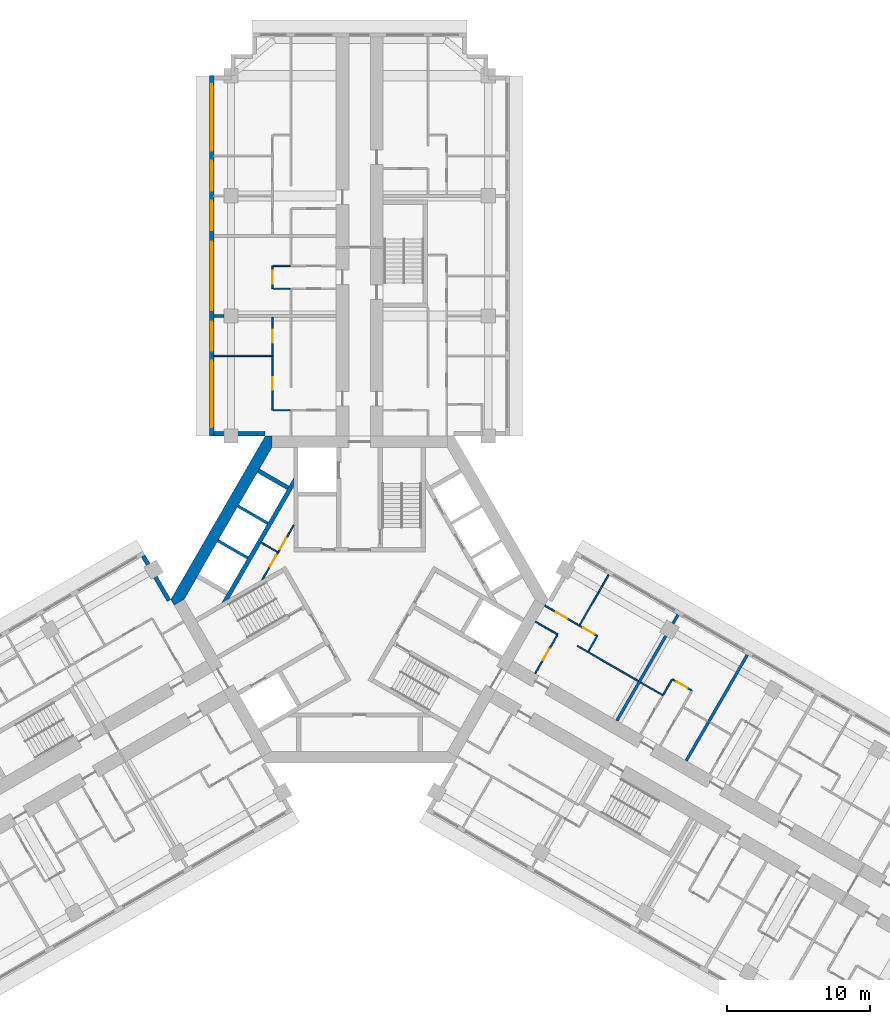
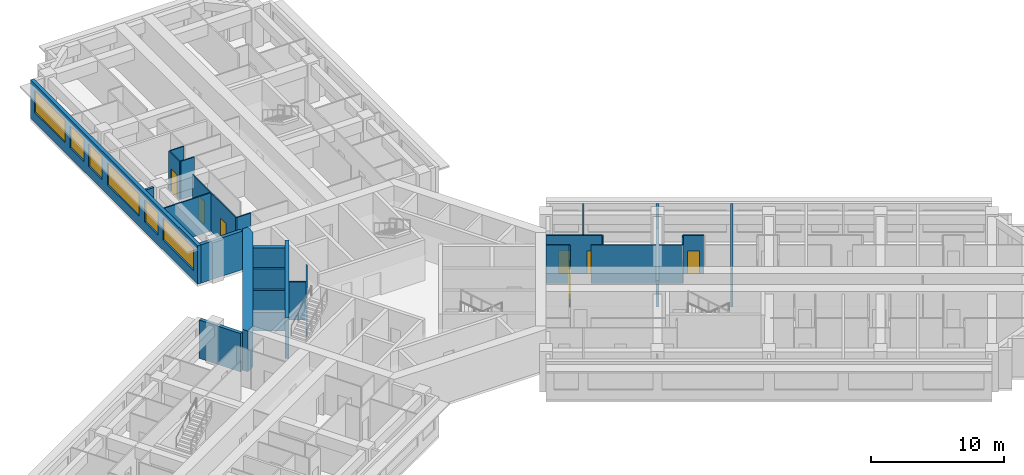
# One storey, part 7 of 13: 29 walls, 9 doors, 6 windows, 15 openings.
"""IFC4 building model written with IfcOpenShell, lengths in metres."""

from ifc_helpers import new_model, si_unit, direction, frame, frame_2d, origin, place, context, subcontext, project, spatial, polyline, rectangle, outline, extrude, material, layer, layer_set, type_object, element, fill, save


model = new_model("IFC4")

# Units and contexts
model_context = context("Model", 3, precision=1e-05, world=origin(), true_north=direction((0.0, 1.0)))
body_context = subcontext(model_context, "Body", "Model", "MODEL_VIEW")
ifc_project = project(units=[si_unit("LENGTHUNIT", "METRE"), si_unit("AREAUNIT", "SQUARE_METRE"), si_unit("VOLUMEUNIT", "CUBIC_METRE"), si_unit("PLANEANGLEUNIT", "RADIAN"), si_unit("MASSUNIT", "GRAM", prefix="KILO")], contexts=[model_context])

# Site, building, storey
site_placement = place(None, origin())
site = spatial("IfcSite", under=ifc_project, at=site_placement, CompositionType="ELEMENT")
building_placement = place(site_placement, origin())
building = spatial("IfcBuilding", under=site, at=building_placement, Name="Impinga Residences", CompositionType="ELEMENT")
storey_placement = place(building_placement, frame((0.0, 0.0, 136.0)))
storey = spatial("IfcBuildingStorey", under=building, at=storey_placement, Name="L33", CompositionType="ELEMENT", Elevation=136.0)

# Wall, openings, doors
ifc_material_1 = material(Name="Concrete blockwork", Category="masonry")
ifc_layer_1 = layer(ifc_material_1, 0.10009765625)
ifc_layer_set_1 = layer_set([ifc_layer_1], Name="CP1 core room partition, blockwork 100")
wall_type_1 = type_object("IfcWallType", Name="CP1 core room partition, blockwork 100", PredefinedType="PARTITIONING", material=ifc_layer_set_1)
wall_1_placement = place(storey_placement, frame((-6.799560546875, 1.385986328125, 0.0), z_axis=(0.0, 0.0, 1.0), x_axis=(0.500001098885, 0.866024769342, 0.0)))
wall_1 = element("IfcWall", 1, at=wall_1_placement, inside=storey, type_object=wall_type_1, Name="Core room partition, blockwork L33:CORE:high:FP", PredefinedType="PARTITIONING", context=body_context, shape_type="SweptSolid", body=[
    extrude(rectangle(XDim=4.39892578125, YDim=0.10009765625, at=frame_2d((2.199462890625, 0.0))), origin(), (0.0, 0.0, 1.0), 3.530029296875),
])
opening_1_placement = place(wall_1_placement, frame((1.049560546875, 0.0, 0.0)))
opening_1 = element("IfcOpeningElement", 2, at=opening_1_placement, cuts=wall_1, Name="Opening D6", PredefinedType="OPENING", context=body_context, shape_type="SweptSolid", body=[
    extrude(rectangle(XDim=0.89990234375, YDim=2.10009765625, at=frame_2d((0.449951171875, 1.050048828125))), frame((0.0, 0.06005859375, 0.0), z_axis=(0.0, -1.0, 0.0), x_axis=(1.0, 0.0, 0.0)), (0.0, 0.0, 1.0), 0.1201171875),
])
opening_2_placement = place(wall_1_placement, frame((2.449462890625, 0.0, 0.0)))
opening_2 = element("IfcOpeningElement", 3, at=opening_2_placement, cuts=wall_1, Name="Opening D6", PredefinedType="OPENING", context=body_context, shape_type="SweptSolid", body=[
    extrude(rectangle(XDim=0.89990234375, YDim=2.10009765625, at=frame_2d((0.449951171875, 1.050048828125))), frame((0.0, 0.06005859375, 0.0), z_axis=(0.0, -1.0, 0.0), x_axis=(1.0, 0.0, 0.0)), (0.0, 0.0, 1.0), 0.1201171875),
])
ifc_material_2 = material(Name="Timber door set", Category="wood")
door_type_1 = type_object("IfcDoorType", Name="D6 riser and store door 900x2100", OperationType="SINGLE_SWING_LEFT", PredefinedType="DOOR", material=ifc_material_2)
door_1_placement = place(opening_1_placement, origin())
door_1 = element("IfcDoor", 4, at=door_1_placement, inside=storey, type_object=door_type_1, Name="Cleaners' store door", OperationType="SINGLE_SWING_LEFT", OverallHeight=2.10009765625, OverallWidth=0.89990234375, PredefinedType="DOOR", context=body_context, shape_type="SweptSolid", body=[
    extrude(rectangle(XDim=0.89990234375, YDim=2.10009765625, at=frame_2d((0.449951171875, 1.050048828125))), frame((0.0, 0.02490234375, 0.0), z_axis=(0.0, -1.0, 0.0), x_axis=(1.0, 0.0, 0.0)), (0.0, 0.0, 1.0), 0.050048828125),
])
fill(opening_1, door_1)
door_2_placement = place(opening_2_placement, origin())
door_2 = element("IfcDoor", 5, at=door_2_placement, inside=storey, type_object=door_type_1, Name="Refuse room door", OperationType="SINGLE_SWING_RIGHT", OverallHeight=2.10009765625, OverallWidth=0.89990234375, PredefinedType="DOOR", context=body_context, shape_type="SweptSolid", body=[
    extrude(rectangle(XDim=0.89990234375, YDim=2.10009765625, at=frame_2d((0.449951171875, 1.050048828125))), frame((0.0, 0.02490234375, 0.0), z_axis=(0.0, -1.0, 0.0), x_axis=(1.0, 0.0, 0.0)), (0.0, 0.0, 1.0), 0.050048828125),
])
fill(opening_2, door_2)

# Walls
wall_2_placement = place(storey_placement, frame((-5.7431640625, 3.315673828125, 0.0), z_axis=(0.0, 0.0, 1.0), x_axis=(-0.86595725628, 0.500118016368, 0.0)))
element("IfcWall", 6, at=wall_2_placement, inside=storey, type_object=wall_type_1, Name="Core room partition, blockwork L33:CORE:high:FS", PredefinedType="PARTITIONING", context=body_context, shape_type="SweptSolid", body=[
    extrude(rectangle(XDim=1.300048828125, YDim=0.10009765625, at=frame_2d((0.64990234375, 0.0))), origin(), (0.0, 0.0, 1.0), 3.530029296875),
])
ifc_material_3 = material(Name="Terracotta rainscreen on blockwork", Category="masonry")
ifc_layer_2 = layer(ifc_material_3, 0.300048828125)
ifc_layer_set_2 = layer_set([ifc_layer_2], Name="EW1 external wall, terracotta rainscreen on blockwork 300")
wall_type_2 = type_object("IfcWallType", Name="EW1 external wall, terracotta rainscreen on blockwork 300", PredefinedType="SOLIDWALL", material=ifc_layer_set_2)
wall_3_placement = place(storey_placement, frame((-15.1298828125, 3.042724609375, 0.0), z_axis=(0.0, 0.0, 1.0), x_axis=(0.500012057535, -0.866018442252, 0.0)))
element("IfcWall", 7, at=wall_3_placement, inside=storey, type_object=wall_type_2, Name="External wall EW1 L33", PredefinedType="SOLIDWALL", context=body_context, shape_type="SweptSolid", body=[
    extrude(rectangle(XDim=3.60009765625, YDim=0.300048828125, at=frame_2d((1.800048828125, 0.0))), origin(), (0.0, 0.0, 1.0), 3.530029296875),
])
wall_4_placement = place(storey_placement, frame((-6.60009765625, 11.58154296875, 0.0), z_axis=(0.0, 0.0, 1.0), x_axis=(-1.0, 0.0, 0.0)))
element("IfcWall", 8, at=wall_4_placement, inside=storey, type_object=wall_type_2, Name="External wall EW1 L33", PredefinedType="SOLIDWALL", context=body_context, shape_type="SweptSolid", body=[
    extrude(rectangle(XDim=3.599853515625, YDim=0.300048828125, at=frame_2d((1.7998046875, 0.0))), origin(), (0.0, 0.0, 1.0), 3.530029296875),
])

# Wall, openings, windows
wall_5_placement = place(storey_placement, frame((-10.35009765625, 11.431640625, 0.0), z_axis=(0.0, 0.0, 1.0), x_axis=(0.0, 1.0, 0.0)))
wall_5 = element("IfcWall", 9, at=wall_5_placement, inside=storey, type_object=wall_type_2, Name="External wall EW1 L33", PredefinedType="SOLIDWALL", context=body_context, shape_type="SweptSolid", body=[
    extrude(rectangle(XDim=25.199951171875, YDim=0.300048828125, at=frame_2d((12.60009765625, 0.0))), origin(), (0.0, 0.0, 1.0), 3.530029296875),
])
opening_3_placement = place(wall_5_placement, frame((0.60009765625, 0.0, 0.89990234375)))
opening_3 = element("IfcOpeningElement", 10, at=opening_3_placement, cuts=wall_5, Name="Opening W10", PredefinedType="OPENING", context=body_context, shape_type="SweptSolid", body=[
    extrude(rectangle(XDim=4.64990234375, YDim=2.050048828125, at=frame_2d((2.324951171875, 1.02490234375))), frame((0.0, 0.159912109375, 0.0), z_axis=(0.0, -1.0, 0.0), x_axis=(1.0, 0.0, 0.0)), (0.0, 0.0, 1.0), 0.320068359375),
])
opening_4_placement = place(wall_5_placement, frame((5.949951171875, 0.0, 0.89990234375)))
opening_4 = element("IfcOpeningElement", 11, at=opening_4_placement, cuts=wall_5, Name="Opening W14", PredefinedType="OPENING", context=body_context, shape_type="SweptSolid", body=[
    extrude(rectangle(XDim=2.050048828125, YDim=2.050048828125, at=frame_2d((1.02490234375, 1.02490234375))), frame((0.0, 0.159912109375, 0.0), z_axis=(0.0, -1.0, 0.0), x_axis=(1.0, 0.0, 0.0)), (0.0, 0.0, 1.0), 0.320068359375),
])
opening_5_placement = place(wall_5_placement, frame((8.800048828125, 0.0, 0.89990234375)))
opening_5 = element("IfcOpeningElement", 12, at=opening_5_placement, cuts=wall_5, Name="Opening W8", PredefinedType="OPENING", context=body_context, shape_type="SweptSolid", body=[
    extrude(rectangle(XDim=4.800048828125, YDim=2.050048828125, at=frame_2d((2.39990234375, 1.02490234375))), frame((0.0, 0.159912109375, 0.0), z_axis=(0.0, -1.0, 0.0), x_axis=(1.0, 0.0, 0.0)), (0.0, 0.0, 1.0), 0.320068359375),
])
opening_6_placement = place(wall_5_placement, frame((14.39990234375, 0.0, 0.89990234375)))
opening_6 = element("IfcOpeningElement", 13, at=opening_6_placement, cuts=wall_5, Name="Opening W14", PredefinedType="OPENING", context=body_context, shape_type="SweptSolid", body=[
    extrude(rectangle(XDim=2.050048828125, YDim=2.050048828125, at=frame_2d((1.02490234375, 1.02490234375))), frame((0.0, 0.159912109375, 0.0), z_axis=(0.0, -1.0, 0.0), x_axis=(1.0, 0.0, 0.0)), (0.0, 0.0, 1.0), 0.320068359375),
])
opening_7_placement = place(wall_5_placement, frame((17.14990234375, 0.0, 0.89990234375)))
opening_7 = element("IfcOpeningElement", 14, at=opening_7_placement, cuts=wall_5, Name="Opening W9", PredefinedType="OPENING", context=body_context, shape_type="SweptSolid", body=[
    extrude(rectangle(XDim=2.10009765625, YDim=2.050048828125, at=frame_2d((1.050048828125, 1.02490234375))), frame((0.0, 0.159912109375, 0.0), z_axis=(0.0, -1.0, 0.0), x_axis=(1.0, 0.0, 0.0)), (0.0, 0.0, 1.0), 0.320068359375),
])
opening_8_placement = place(wall_5_placement, frame((19.949951171875, 0.0, 0.89990234375)))
opening_8 = element("IfcOpeningElement", 15, at=opening_8_placement, cuts=wall_5, Name="Opening W10", PredefinedType="OPENING", context=body_context, shape_type="SweptSolid", body=[
    extrude(rectangle(XDim=4.64990234375, YDim=2.050048828125, at=frame_2d((2.324951171875, 1.02490234375))), frame((0.0, 0.159912109375, 0.0), z_axis=(0.0, -1.0, 0.0), x_axis=(1.0, 0.0, 0.0)), (0.0, 0.0, 1.0), 0.320068359375),
])
ifc_material_4 = material(Name="Aluminium window, clear double glazing", Category="aluminium")
window_type_1 = type_object("IfcWindowType", Name="W10 ribbon window 4650x2050", PartitioningType="SINGLE_PANEL", PredefinedType="WINDOW", material=ifc_material_4)
window_1_placement = place(opening_3_placement, origin())
window_1 = element("IfcWindow", 16, at=window_1_placement, inside=storey, type_object=window_type_1, Name="Window L33", OverallHeight=2.050048828125, OverallWidth=4.64990234375, PartitioningType="SINGLE_PANEL", PredefinedType="WINDOW", context=body_context, shape_type="SweptSolid", body=[
    extrude(rectangle(XDim=4.64990234375, YDim=2.050048828125, at=frame_2d((2.324951171875, 1.02490234375))), frame((0.0, 0.030029296875, 0.0), z_axis=(0.0, -1.0, 0.0), x_axis=(1.0, 0.0, 0.0)), (0.0, 0.0, 1.0), 0.06005859375),
])
fill(opening_3, window_1)
window_2_placement = place(opening_8_placement, origin())
window_2 = element("IfcWindow", 17, at=window_2_placement, inside=storey, type_object=window_type_1, Name="Window L33", OverallHeight=2.050048828125, OverallWidth=4.64990234375, PartitioningType="SINGLE_PANEL", PredefinedType="WINDOW", context=body_context, shape_type="SweptSolid", body=[
    extrude(rectangle(XDim=4.64990234375, YDim=2.050048828125, at=frame_2d((2.324951171875, 1.02490234375))), frame((0.0, 0.030029296875, 0.0), z_axis=(0.0, -1.0, 0.0), x_axis=(1.0, 0.0, 0.0)), (0.0, 0.0, 1.0), 0.06005859375),
])
fill(opening_8, window_2)
window_type_2 = type_object("IfcWindowType", Name="W14 ribbon window 2050x2050", PartitioningType="SINGLE_PANEL", PredefinedType="WINDOW", material=ifc_material_4)
window_3_placement = place(opening_4_placement, origin())
window_3 = element("IfcWindow", 18, at=window_3_placement, inside=storey, type_object=window_type_2, Name="Window L33", OverallHeight=2.050048828125, OverallWidth=2.050048828125, PartitioningType="SINGLE_PANEL", PredefinedType="WINDOW", context=body_context, shape_type="SweptSolid", body=[
    extrude(rectangle(XDim=2.050048828125, YDim=2.050048828125, at=frame_2d((1.02490234375, 1.02490234375))), frame((0.0, 0.030029296875, 0.0), z_axis=(0.0, -1.0, 0.0), x_axis=(1.0, 0.0, 0.0)), (0.0, 0.0, 1.0), 0.06005859375),
])
fill(opening_4, window_3)
window_4_placement = place(opening_6_placement, origin())
window_4 = element("IfcWindow", 19, at=window_4_placement, inside=storey, type_object=window_type_2, Name="Window L33", OverallHeight=2.050048828125, OverallWidth=2.050048828125, PartitioningType="SINGLE_PANEL", PredefinedType="WINDOW", context=body_context, shape_type="SweptSolid", body=[
    extrude(rectangle(XDim=2.050048828125, YDim=2.050048828125, at=frame_2d((1.02490234375, 1.02490234375))), frame((0.0, 0.030029296875, 0.0), z_axis=(0.0, -1.0, 0.0), x_axis=(1.0, 0.0, 0.0)), (0.0, 0.0, 1.0), 0.06005859375),
])
fill(opening_6, window_4)
window_type_3 = type_object("IfcWindowType", Name="W8 ribbon window 4800x2050", PartitioningType="SINGLE_PANEL", PredefinedType="WINDOW", material=ifc_material_4)
window_5_placement = place(opening_5_placement, origin())
window_5 = element("IfcWindow", 20, at=window_5_placement, inside=storey, type_object=window_type_3, Name="Window L33", OverallHeight=2.050048828125, OverallWidth=4.800048828125, PartitioningType="SINGLE_PANEL", PredefinedType="WINDOW", context=body_context, shape_type="SweptSolid", body=[
    extrude(rectangle(XDim=4.800048828125, YDim=2.050048828125, at=frame_2d((2.39990234375, 1.02490234375))), frame((0.0, 0.030029296875, 0.0), z_axis=(0.0, -1.0, 0.0), x_axis=(1.0, 0.0, 0.0)), (0.0, 0.0, 1.0), 0.06005859375),
])
fill(opening_5, window_5)
window_type_4 = type_object("IfcWindowType", Name="W9 ribbon window 2100x2050", PartitioningType="SINGLE_PANEL", PredefinedType="WINDOW", material=ifc_material_4)
window_6_placement = place(opening_7_placement, origin())
window_6 = element("IfcWindow", 21, at=window_6_placement, inside=storey, type_object=window_type_4, Name="Window L33", OverallHeight=2.050048828125, OverallWidth=2.10009765625, PartitioningType="SINGLE_PANEL", PredefinedType="WINDOW", context=body_context, shape_type="SweptSolid", body=[
    extrude(rectangle(XDim=2.10009765625, YDim=2.050048828125, at=frame_2d((1.050048828125, 1.02490234375))), frame((0.0, 0.030029296875, 0.0), z_axis=(0.0, -1.0, 0.0), x_axis=(1.0, 0.0, 0.0)), (0.0, 0.0, 1.0), 0.06005859375),
])
fill(opening_7, window_6)

# Wall, openings, doors
ifc_material_5 = material(Name="Gypsum board on steel studs", Category="steel")
ifc_layer_3 = layer(ifc_material_5, 0.10009765625)
ifc_layer_set_3 = layer_set([ifc_layer_3], Name="Gypsum board on steel studs")
wall_type_3 = type_object("IfcWallType", Name="IP1 partition 100", PredefinedType="PARTITIONING", material=ifc_layer_set_3)
wall_6_placement = place(storey_placement, frame((-6.10009765625, 13.2314453125, 0.0), z_axis=(0.0, 0.0, 1.0), x_axis=(0.0, 1.0, 0.0)))
wall_6 = element("IfcWall", 22, at=wall_6_placement, inside=storey, type_object=wall_type_3, Name="Partition L33-NA1:STRIP", PredefinedType="PARTITIONING", context=body_context, shape_type="SweptSolid", body=[
    extrude(rectangle(XDim=6.5, YDim=0.10009765625, at=frame_2d((3.25, 0.0))), origin(), (0.0, 0.0, 1.0), 3.530029296875),
])
opening_9_placement = place(wall_6_placement, frame((1.425048828125, 0.0, 0.0)))
opening_9 = element("IfcOpeningElement", 23, at=opening_9_placement, cuts=wall_6, Name="Opening D2", PredefinedType="OPENING", context=body_context, shape_type="SweptSolid", body=[
    extrude(rectangle(XDim=0.89990234375, YDim=2.10009765625, at=frame_2d((0.449951171875, 1.050048828125))), frame((0.0, 0.06005859375, 0.0), z_axis=(0.0, -1.0, 0.0), x_axis=(1.0, 0.0, 0.0)), (0.0, 0.0, 1.0), 0.1201171875),
])
opening_10_placement = place(wall_6_placement, frame((4.72509765625, 0.0, 0.0)))
opening_10 = element("IfcOpeningElement", 24, at=opening_10_placement, cuts=wall_6, Name="Opening D2", PredefinedType="OPENING", context=body_context, shape_type="SweptSolid", body=[
    extrude(rectangle(XDim=0.89990234375, YDim=2.10009765625, at=frame_2d((0.449951171875, 1.050048828125))), frame((0.0, 0.06005859375, 0.0), z_axis=(0.0, -1.0, 0.0), x_axis=(1.0, 0.0, 0.0)), (0.0, 0.0, 1.0), 0.1201171875),
])
door_type_2 = type_object("IfcDoorType", Name="D2 internal door 900x2100", OperationType="SINGLE_SWING_LEFT", PredefinedType="DOOR", material=ifc_material_2)
door_3_placement = place(opening_9_placement, origin())
door_3 = element("IfcDoor", 25, at=door_3_placement, inside=storey, type_object=door_type_2, Name="Apartment L33-NA1 room door", OperationType="SINGLE_SWING_LEFT", OverallHeight=2.10009765625, OverallWidth=0.89990234375, PredefinedType="DOOR", context=body_context, shape_type="SweptSolid", body=[
    extrude(rectangle(XDim=0.89990234375, YDim=2.10009765625, at=frame_2d((0.449951171875, 1.050048828125))), frame((0.0, 0.02490234375, 0.0), z_axis=(0.0, -1.0, 0.0), x_axis=(1.0, 0.0, 0.0)), (0.0, 0.0, 1.0), 0.050048828125),
])
fill(opening_9, door_3)
door_4_placement = place(opening_10_placement, origin())
door_4 = element("IfcDoor", 26, at=door_4_placement, inside=storey, type_object=door_type_2, Name="Apartment L33-NA1 room door", OperationType="SINGLE_SWING_RIGHT", OverallHeight=2.10009765625, OverallWidth=0.89990234375, PredefinedType="DOOR", context=body_context, shape_type="SweptSolid", body=[
    extrude(rectangle(XDim=0.89990234375, YDim=2.10009765625, at=frame_2d((0.449951171875, 1.050048828125))), frame((0.0, 0.02490234375, 0.0), z_axis=(0.0, -1.0, 0.0), x_axis=(1.0, 0.0, 0.0)), (0.0, 0.0, 1.0), 0.050048828125),
])
fill(opening_10, door_4)

# Walls
wall_7_placement = place(storey_placement, frame((-4.85009765625, 13.2314453125, 0.0), z_axis=(0.0, 0.0, 1.0), x_axis=(-1.0, 0.0, 0.0)))
element("IfcWall", 27, at=wall_7_placement, inside=storey, type_object=wall_type_3, Name="Partition L33-NA1:SE0", PredefinedType="PARTITIONING", context=body_context, shape_type="SweptSolid", body=[
    extrude(rectangle(XDim=1.199951171875, YDim=0.10009765625, at=frame_2d((0.60009765625, 0.0))), origin(), (0.0, 0.0, 1.0), 3.530029296875),
])
wall_8_placement = place(storey_placement, frame((-6.14990234375, 17.031494140625, 0.0), z_axis=(0.0, 0.0, 1.0), x_axis=(-1.0, 0.0, 0.0)))
element("IfcWall", 28, at=wall_8_placement, inside=storey, type_object=wall_type_3, Name="Partition L33-NA1:OB1", PredefinedType="PARTITIONING", context=body_context, shape_type="SweptSolid", body=[
    extrude(rectangle(XDim=4.050048828125, YDim=0.10009765625, at=frame_2d((2.02490234375, 0.0))), origin(), (0.0, 0.0, 1.0), 3.530029296875),
])

# Wall, opening, door
wall_9_placement = place(storey_placement, frame((-6.10009765625, 21.7314453125, 0.0), z_axis=(0.0, 0.0, 1.0), x_axis=(0.0, 1.0, 0.0)))
wall_9 = element("IfcWall", 29, at=wall_9_placement, inside=storey, type_object=wall_type_3, Name="Partition L33-NA2:STRIP", PredefinedType="PARTITIONING", context=body_context, shape_type="SweptSolid", body=[
    extrude(rectangle(XDim=1.60009765625, YDim=0.10009765625, at=frame_2d((0.800048828125, 0.0))), origin(), (0.0, 0.0, 1.0), 3.530029296875),
])
opening_11_placement = place(wall_9_placement, frame((0.35009765625, 0.0, 0.0)))
opening_11 = element("IfcOpeningElement", 30, at=opening_11_placement, cuts=wall_9, Name="Opening D2", PredefinedType="OPENING", context=body_context, shape_type="SweptSolid", body=[
    extrude(rectangle(XDim=0.89990234375, YDim=2.10009765625, at=frame_2d((0.449951171875, 1.050048828125))), frame((0.0, 0.06005859375, 0.0), z_axis=(0.0, -1.0, 0.0), x_axis=(1.0, 0.0, 0.0)), (0.0, 0.0, 1.0), 0.1201171875),
])
door_5_placement = place(opening_11_placement, origin())
door_5 = element("IfcDoor", 31, at=door_5_placement, inside=storey, type_object=door_type_2, Name="Apartment L33-NA2 room door", OperationType="SINGLE_SWING_LEFT", OverallHeight=2.10009765625, OverallWidth=0.89990234375, PredefinedType="DOOR", context=body_context, shape_type="SweptSolid", body=[
    extrude(rectangle(XDim=0.89990234375, YDim=2.10009765625, at=frame_2d((0.449951171875, 1.050048828125))), frame((0.0, 0.02490234375, 0.0), z_axis=(0.0, -1.0, 0.0), x_axis=(1.0, 0.0, 0.0)), (0.0, 0.0, 1.0), 0.050048828125),
])
fill(opening_11, door_5)

# Walls
for number, where, z_axis, x_axis, name in (
    (32, (-4.85009765625, 21.7314453125, 0.0), (0.0, 0.0, 1.0), (-1.0, 0.0, 0.0), "Partition L33-NA2:SE0"),
    (33, (-4.85009765625, 23.33154296875, 0.0), (0.0, 0.0, 1.0), (-1.0, 0.0, 0.0), "Partition L33-NA2:SE1"),
):
    element("IfcWall", number, at=place(storey_placement, frame(where, z_axis=z_axis, x_axis=x_axis)), inside=storey, type_object=wall_type_3, Name=name, PredefinedType="PARTITIONING", context=body_context, shape_type="SweptSolid", body=[
        extrude(rectangle(XDim=1.199951171875, YDim=0.10009765625, at=frame_2d((0.60009765625, 0.0))), origin(), (0.0, 0.0, 1.0), 3.530029296875),
    ])
wall_10_placement = place(storey_placement, frame((12.300048828125, -1.558837890625, 0.0), z_axis=(0.0, 0.0, 1.0), x_axis=(0.866047807691, -0.499961193289, 0.0)))
element("IfcWall", 34, at=wall_10_placement, inside=storey, type_object=wall_type_3, Name="Partition L33-EA1:DIV0", PredefinedType="PARTITIONING", context=body_context, shape_type="SweptSolid", body=[
    extrude(rectangle(XDim=1.800048828125, YDim=0.10009765625, at=frame_2d((0.89990234375, 0.0))), origin(), (0.0, 0.0, 1.0), 3.530029296875),
])
wall_11_placement = place(storey_placement, frame((15.244384765625, -3.2587890625, 0.0), z_axis=(0.0, 0.0, 1.0), x_axis=(0.866036242063, -0.49998122708, 0.0)))
element("IfcWall", 35, at=wall_11_placement, inside=storey, type_object=wall_type_3, Name="Partition L33-EA1:DIV1", PredefinedType="PARTITIONING", context=body_context, shape_type="SweptSolid", body=[
    extrude(rectangle(XDim=4.900146484375, YDim=0.10009765625, at=frame_2d((2.4501953125, 0.0))), origin(), (0.0, 0.0, 1.0), 3.530029296875),
])

# Wall, openings, doors
wall_12_placement = place(storey_placement, frame((12.949951171875, -0.43310546875, 0.0), z_axis=(0.0, 0.0, 1.0), x_axis=(0.866028703517, -0.499994284652, 0.0)))
wall_12 = element("IfcWall", 36, at=wall_12_placement, inside=storey, type_object=wall_type_3, Name="Partition L33-EA1:STRIP", PredefinedType="PARTITIONING", context=body_context, shape_type="SweptSolid", body=[
    extrude(rectangle(XDim=4.25, YDim=0.10009765625, at=frame_2d((2.125, 0.0))), origin(), (0.0, 0.0, 1.0), 3.530029296875),
])
opening_12_placement = place(wall_12_placement, frame((0.925048828125, 0.0, 0.0)))
opening_12 = element("IfcOpeningElement", 37, at=opening_12_placement, cuts=wall_12, Name="Opening D2", PredefinedType="OPENING", context=body_context, shape_type="SweptSolid", body=[
    extrude(rectangle(XDim=0.89990234375, YDim=2.10009765625, at=frame_2d((0.449951171875, 1.050048828125))), frame((0.0, 0.06005859375, 0.0), z_axis=(0.0, -1.0, 0.0), x_axis=(1.0, 0.0, 0.0)), (0.0, 0.0, 1.0), 0.1201171875),
])
opening_13_placement = place(wall_12_placement, frame((3.10009765625, 0.0, 0.0)))
opening_13 = element("IfcOpeningElement", 38, at=opening_13_placement, cuts=wall_12, Name="Opening D2", PredefinedType="OPENING", context=body_context, shape_type="SweptSolid", body=[
    extrude(rectangle(XDim=0.89990234375, YDim=2.10009765625, at=frame_2d((0.449951171875, 1.050048828125))), frame((0.0, 0.06005859375, 0.0), z_axis=(0.0, -1.0, 0.0), x_axis=(1.0, 0.0, 0.0)), (0.0, 0.0, 1.0), 0.1201171875),
])
door_6_placement = place(opening_12_placement, origin())
door_6 = element("IfcDoor", 39, at=door_6_placement, inside=storey, type_object=door_type_2, Name="Apartment L33-EA1 room door", OperationType="SINGLE_SWING_LEFT", OverallHeight=2.10009765625, OverallWidth=0.89990234375, PredefinedType="DOOR", context=body_context, shape_type="SweptSolid", body=[
    extrude(rectangle(XDim=0.89990234375, YDim=2.10009765625, at=frame_2d((0.449951171875, 1.050048828125))), frame((0.0, 0.02490234375, 0.0), z_axis=(0.0, -1.0, 0.0), x_axis=(1.0, 0.0, 0.0)), (0.0, 0.0, 1.0), 0.050048828125),
])
fill(opening_12, door_6)
door_7_placement = place(opening_13_placement, origin())
door_7 = element("IfcDoor", 40, at=door_7_placement, inside=storey, type_object=door_type_2, Name="Apartment L33-EA1 room door", OperationType="SINGLE_SWING_RIGHT", OverallHeight=2.10009765625, OverallWidth=0.89990234375, PredefinedType="DOOR", context=body_context, shape_type="SweptSolid", body=[
    extrude(rectangle(XDim=0.89990234375, YDim=2.10009765625, at=frame_2d((0.449951171875, 1.050048828125))), frame((0.0, 0.02490234375, 0.0), z_axis=(0.0, -1.0, 0.0), x_axis=(1.0, 0.0, 0.0)), (0.0, 0.0, 1.0), 0.050048828125),
])
fill(opening_13, door_7)

# Wall
wall_13_placement = place(storey_placement, frame((16.005615234375, -3.640625, 0.0), z_axis=(0.0, 0.0, 1.0), x_axis=(0.500033551112, 0.866006032174, 0.0)))
element("IfcWall", 41, at=wall_13_placement, inside=storey, type_object=wall_type_3, Name="Partition L33-EA1:SE1", PredefinedType="PARTITIONING", context=body_context, shape_type="SweptSolid", body=[
    extrude(rectangle(XDim=1.2001953125, YDim=0.10009765625, at=frame_2d((0.60009765625, 0.0))), origin(), (0.0, 0.0, 1.0), 3.530029296875),
])

# Wall, opening, door
wall_14_placement = place(storey_placement, frame((12.283935546875, -5.186767578125, 0.0), z_axis=(0.0, 0.0, 1.0), x_axis=(0.499967891604, 0.866043940782, 0.0)))
wall_14 = element("IfcWall", 42, at=wall_14_placement, inside=storey, type_object=wall_type_3, Name="Partition L33-EA1:IB1", PredefinedType="PARTITIONING", context=body_context, shape_type="SweptSolid", body=[
    extrude(rectangle(XDim=3.099853515625, YDim=0.10009765625, at=frame_2d((1.5498046875, 0.0))), origin(), (0.0, 0.0, 1.0), 3.530029296875),
])
opening_14_placement = place(wall_14_placement, frame((1.10009765625, 0.0, 0.0)))
opening_14 = element("IfcOpeningElement", 43, at=opening_14_placement, cuts=wall_14, Name="Opening D2", PredefinedType="OPENING", context=body_context, shape_type="SweptSolid", body=[
    extrude(rectangle(XDim=0.89990234375, YDim=2.10009765625, at=frame_2d((0.449951171875, 1.050048828125))), frame((0.0, 0.06005859375, 0.0), z_axis=(0.0, -1.0, 0.0), x_axis=(1.0, 0.0, 0.0)), (0.0, 0.0, 1.0), 0.1201171875),
])
door_8_placement = place(opening_14_placement, origin())
door_8 = element("IfcDoor", 44, at=door_8_placement, inside=storey, type_object=door_type_2, Name="Apartment L33-EA1 bathroom door", OperationType="SINGLE_SWING_LEFT", OverallHeight=2.10009765625, OverallWidth=0.89990234375, PredefinedType="DOOR", context=body_context, shape_type="SweptSolid", body=[
    extrude(rectangle(XDim=0.89990234375, YDim=2.10009765625, at=frame_2d((0.449951171875, 1.050048828125))), frame((0.0, 0.02490234375, 0.0), z_axis=(0.0, -1.0, 0.0), x_axis=(1.0, 0.0, 0.0)), (0.0, 0.0, 1.0), 0.050048828125),
])
fill(opening_14, door_8)

# Walls
wall_15_placement = place(storey_placement, frame((15.39990234375, -1.789794921875, 0.0), z_axis=(0.0, 0.0, 1.0), x_axis=(0.499964223975, 0.866046058097, 0.0)))
element("IfcWall", 45, at=wall_15_placement, inside=storey, type_object=wall_type_3, Name="Partition L33-EA1:OB1", PredefinedType="PARTITIONING", context=body_context, shape_type="SweptSolid", body=[
    extrude(rectangle(XDim=4.050048828125, YDim=0.10009765625, at=frame_2d((2.02490234375, 0.0))), origin(), (0.0, 0.0, 1.0), 3.530029296875),
])
wall_16_placement = place(storey_placement, frame((19.6611328125, -5.808837890625, 0.0), z_axis=(0.0, 0.0, 1.0), x_axis=(0.866047807691, -0.499961193289, 0.0)))
element("IfcWall", 46, at=wall_16_placement, inside=storey, type_object=wall_type_3, Name="Partition L33-EA2:DIV0", PredefinedType="PARTITIONING", context=body_context, shape_type="SweptSolid", body=[
    extrude(rectangle(XDim=1.800048828125, YDim=0.10009765625, at=frame_2d((0.89990234375, 0.0))), origin(), (0.0, 0.0, 1.0), 3.530029296875),
])

# Wall, opening, door
wall_17_placement = place(storey_placement, frame((21.8701171875, -5.5830078125, 0.0), z_axis=(0.0, 0.0, 1.0), x_axis=(0.865989903783, -0.500061482766, 0.0)))
wall_17 = element("IfcWall", 47, at=wall_17_placement, inside=storey, type_object=wall_type_3, Name="Partition L33-EA2:STRIP", PredefinedType="PARTITIONING", context=body_context, shape_type="SweptSolid", body=[
    extrude(rectangle(XDim=1.599853515625, YDim=0.10009765625, at=frame_2d((0.7998046875, 0.0))), origin(), (0.0, 0.0, 1.0), 3.530029296875),
])
opening_15_placement = place(wall_17_placement, frame((0.35009765625, 0.0, 0.0)))
opening_15 = element("IfcOpeningElement", 48, at=opening_15_placement, cuts=wall_17, Name="Opening D2", PredefinedType="OPENING", context=body_context, shape_type="SweptSolid", body=[
    extrude(rectangle(XDim=0.89990234375, YDim=2.10009765625, at=frame_2d((0.449951171875, 1.050048828125))), frame((0.0, 0.06005859375, 0.0), z_axis=(0.0, -1.0, 0.0), x_axis=(1.0, 0.0, 0.0)), (0.0, 0.0, 1.0), 0.1201171875),
])
door_9_placement = place(opening_15_placement, origin())
door_9 = element("IfcDoor", 49, at=door_9_placement, inside=storey, type_object=door_type_2, Name="Apartment L33-EA2 room door", OperationType="SINGLE_SWING_LEFT", OverallHeight=2.10009765625, OverallWidth=0.89990234375, PredefinedType="DOOR", context=body_context, shape_type="SweptSolid", body=[
    extrude(rectangle(XDim=0.89990234375, YDim=2.10009765625, at=frame_2d((0.449951171875, 1.050048828125))), frame((0.0, 0.02490234375, 0.0), z_axis=(0.0, -1.0, 0.0), x_axis=(1.0, 0.0, 0.0)), (0.0, 0.0, 1.0), 0.050048828125),
])
fill(opening_15, door_9)

# Walls
wall_18_placement = place(storey_placement, frame((21.2451171875, -6.66552734375, 0.0), z_axis=(0.0, 0.0, 1.0), x_axis=(0.499880961361, 0.866094119867, 0.0)))
element("IfcWall", 50, at=wall_18_placement, inside=storey, type_object=wall_type_3, Name="Partition L33-EA2:SE0", PredefinedType="PARTITIONING", context=body_context, shape_type="SweptSolid", body=[
    extrude(rectangle(XDim=1.199951171875, YDim=0.10009765625, at=frame_2d((0.60009765625, 0.0))), origin(), (0.0, 0.0, 1.0), 3.530029296875),
])
ifc_layer_4 = layer(ifc_material_1, 0.199951171875)
ifc_layer_set_4 = layer_set([ifc_layer_4], Name="PW1 party wall between apartments 200")
wall_type_4 = type_object("IfcWallType", Name="PW1 party wall between apartments 200", PredefinedType="SOLIDWALL", material=ifc_layer_set_4)
wall_19_placement = place(storey_placement, frame((-9.5, 19.83154296875, 0.0), z_axis=(0.0, 0.0, 1.0), x_axis=(-1.0, 0.0, 0.0)))
element("IfcWall", 51, at=wall_19_placement, inside=storey, type_object=wall_type_4, Name="Party wall between apartments L33-NA1:PARTYb", PredefinedType="SOLIDWALL", context=body_context, shape_type="SweptSolid", body=[
    extrude(rectangle(XDim=0.699951171875, YDim=0.199951171875, at=frame_2d((0.35009765625, 0.0))), origin(), (0.0, 0.0, 1.0), 3.530029296875),
])
wall_20_placement = place(storey_placement, frame((17.99951171875, -8.48681640625, 0.0), z_axis=(0.0, 0.0, 1.0), x_axis=(0.499999086063, 0.866025931445, 0.0)))
element("IfcWall", 52, at=wall_20_placement, inside=storey, type_object=wall_type_4, Name="Party wall between apartments L33-EA1:PARTY", PredefinedType="SOLIDWALL", context=body_context, shape_type="SweptSolid", body=[
    extrude(rectangle(XDim=6.85009765625, YDim=0.199951171875, at=frame_2d((3.425048828125, 0.0))), origin(), (0.0, 0.0, 1.0), 2.47998046875),
])
wall_21_placement = place(storey_placement, frame((21.924560546875, -1.6884765625, 0.0), z_axis=(0.0, 0.0, 1.0), x_axis=(0.500114896893, 0.865959057869, 0.0)))
element("IfcWall", 53, at=wall_21_placement, inside=storey, type_object=wall_type_4, Name="Party wall between apartments L33-EA1:PARTYb", PredefinedType="SOLIDWALL", context=body_context, shape_type="SweptSolid", body=[
    extrude(rectangle(XDim=0.699951171875, YDim=0.199951171875, at=frame_2d((0.35009765625, 0.0))), origin(), (0.0, 0.0, 1.0), 3.530029296875),
])
wall_22_placement = place(storey_placement, frame((22.849365234375, -11.286865234375, 0.0), z_axis=(0.0, 0.0, 1.0), x_axis=(0.499990227581, 0.86603104582, 0.0)))
element("IfcWall", 54, at=wall_22_placement, inside=storey, type_object=wall_type_4, Name="Party wall between apartments L33-EA2:PARTY", PredefinedType="SOLIDWALL", context=body_context, shape_type="SweptSolid", body=[
    extrude(rectangle(XDim=8.550048828125, YDim=0.199951171875, at=frame_2d((4.27490234375, 0.0))), origin(), (0.0, 0.0, 1.0), 3.530029296875),
])
ifc_material_6 = material(Name="Concrete C60/75", Category="concrete")
ifc_layer_5 = layer(ifc_material_6, 0.800048828125)
ifc_layer_set_5 = layer_set([ifc_layer_5], Name="Concrete C60/75")
wall_type_5 = type_object("IfcWallType", Name="SW2 core wall 800", PredefinedType="SHEAR", material=ifc_layer_set_5)
wall_23_placement = place(storey_placement, origin())
element("IfcWall", 55, at=wall_23_placement, inside=storey, type_object=wall_type_5, Name="Core wall SW2 E:EXPOSED L33", PredefinedType="SHEAR", context=body_context, shape_type="SweptSolid", body=[
    extrude(outline(polyline([(-6.60009765625, 11.431640625), (-13.199951171875, 0.0), (-12.968994140625, -0.39990234375), (-12.276123046875, 0.0), (-6.13818359375, 10.631591796875), (-6.13818359375, 11.431640625), (-6.60009765625, 11.431640625)])), origin(), (0.0, 0.0, 1.0), 3.75),
])
ifc_material_7 = material(Name="Concrete C70/85", Category="concrete")
ifc_layer_6 = layer(ifc_material_7, 0.300048828125)
ifc_layer_set_6 = layer_set([ifc_layer_6], Name="Concrete C70/85")
wall_type_6 = type_object("IfcWallType", Name="SW5 core inner wall, stairs, shafts and lobbies 300", PredefinedType="SHEAR", material=ifc_layer_set_6)
wall_24_placement = place(storey_placement, frame((-9.547607421875, -0.3740234375, 0.0), z_axis=(0.0, 0.0, 1.0), x_axis=(0.500002290144, 0.866024081565, 0.0)))
element("IfcWall", 56, at=wall_24_placement, inside=storey, type_object=wall_type_6, Name="Core wall SW5 E:BANK-FRONT L33", PredefinedType="SHEAR", context=body_context, shape_type="SweptSolid", body=[
    extrude(rectangle(XDim=10.1953125, YDim=0.300048828125, at=frame_2d((5.09765625, 0.0))), origin(), (0.0, 0.0, 1.0), 3.75),
])
wall_25_placement = place(storey_placement, frame((-5.003662109375, 7.79638671875, 0.0), z_axis=(0.0, 0.0, 1.0), x_axis=(-0.866050077142, 0.499957262057, 0.0)))
element("IfcWall", 57, at=wall_25_placement, inside=storey, type_object=wall_type_6, Name="Core wall SW5 E:BANK-R L33", PredefinedType="SHEAR", context=body_context, shape_type="SweptSolid", body=[
    extrude(rectangle(XDim=2.400146484375, YDim=0.300048828125, at=frame_2d((1.2001953125, 0.0))), origin(), (0.0, 0.0, 1.0), 3.75),
])
ifc_layer_7 = layer(ifc_material_7, 0.199951171875)
ifc_layer_set_7 = layer_set([ifc_layer_7], Name="Concrete C70/85")
wall_type_7 = type_object("IfcWallType", Name="SW6 lift shaft divider wall 200", PredefinedType="SHEAR", material=ifc_layer_set_7)
wall_26_placement = place(storey_placement, frame((-7.82861328125, 2.9033203125, 0.0), z_axis=(0.0, 0.0, 1.0), x_axis=(-0.866050077142, 0.499957262057, 0.0)))
element("IfcWall", 58, at=wall_26_placement, inside=storey, type_object=wall_type_7, Name="Core wall SW6 E:BANK-D1 L33", PredefinedType="SHEAR", context=body_context, shape_type="SweptSolid", body=[
    extrude(rectangle(XDim=2.400146484375, YDim=0.199951171875, at=frame_2d((1.2001953125, 0.0))), origin(), (0.0, 0.0, 1.0), 3.75),
])
wall_27_placement = place(storey_placement, frame((-6.4287109375, 5.328125, 0.0), z_axis=(0.0, 0.0, 1.0), x_axis=(-0.865980596518, 0.500077600433, 0.0)))
element("IfcWall", 59, at=wall_27_placement, inside=storey, type_object=wall_type_7, Name="Core wall SW6 E:BANK-D2 L33", PredefinedType="SHEAR", context=body_context, shape_type="SweptSolid", body=[
    extrude(rectangle(XDim=2.39990234375, YDim=0.199951171875, at=frame_2d((1.199951171875, 0.0))), origin(), (0.0, 0.0, 1.0), 3.75),
])

save(model, "model.ifc")
